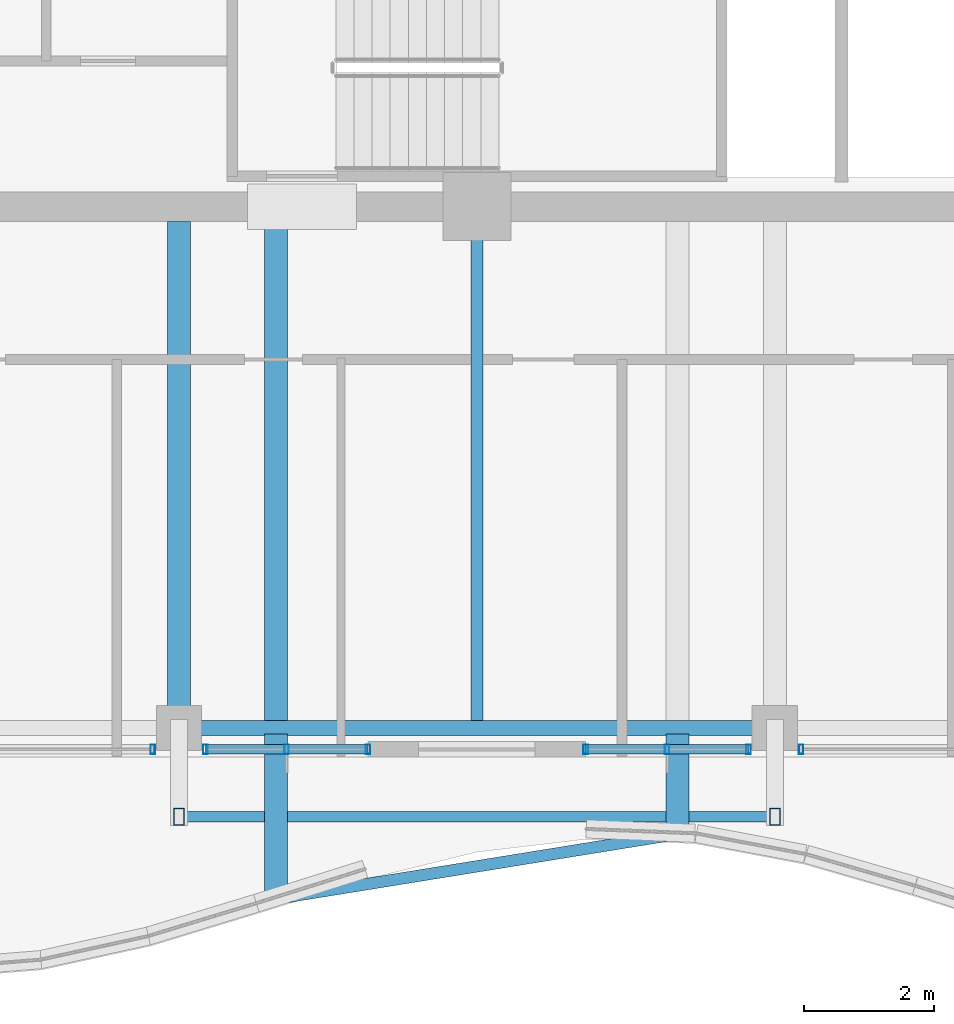
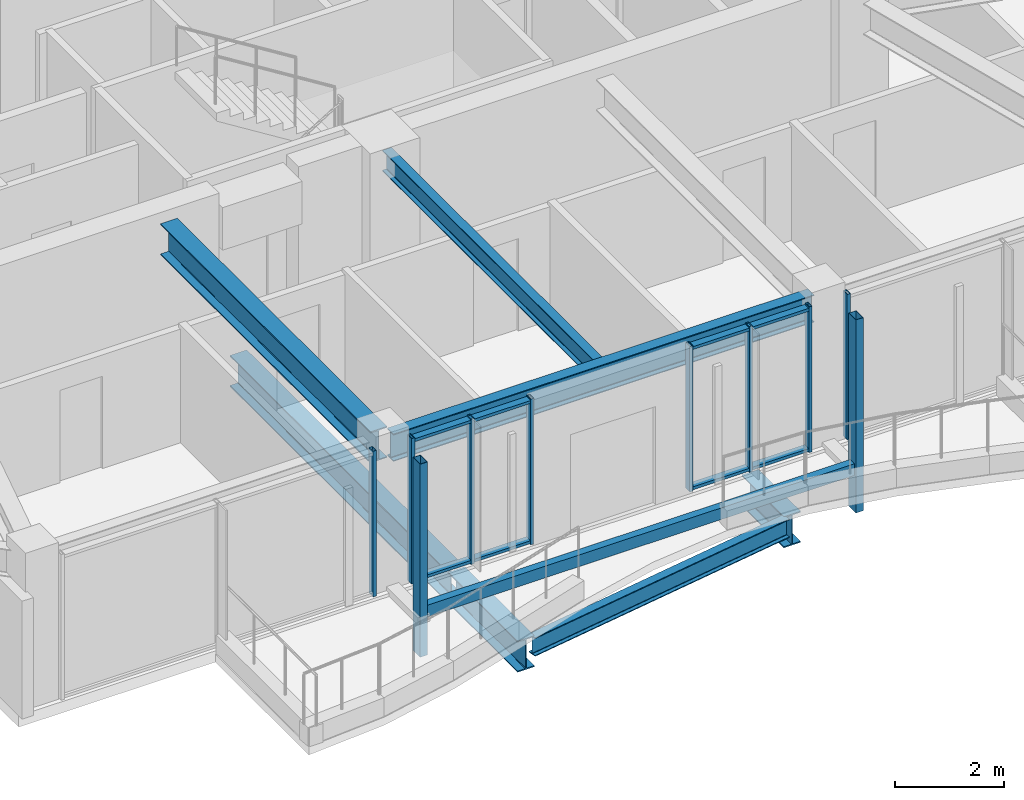
# One storey, part 4 of 34: 15 members, 7 beams, 4 elements without a shape of their own.
"""IFC4 building model written with IfcOpenShell, lengths in metres."""

from ifc_helpers import new_model, si_unit, direction, frame, origin, origin_2d, place, context, subcontext, project, spatial, hollow_rectangle, i_section, extrude, material, material_profile, profile_set, type_object, element, aggregate, save


model = new_model("IFC4")

# Units and contexts
model_context = context("Model", 3, precision=1e-05, world=origin(), true_north=direction((0.0, 1.0)))
body_context = subcontext(model_context, "Body", "Model", "MODEL_VIEW")
ifc_project = project(units=[si_unit("LENGTHUNIT", "METRE"), si_unit("AREAUNIT", "SQUARE_METRE"), si_unit("VOLUMEUNIT", "CUBIC_METRE"), si_unit("PLANEANGLEUNIT", "RADIAN"), si_unit("MASSUNIT", "GRAM", prefix="KILO")], contexts=[model_context])

# Site, building, storey
site_placement = place(None, origin())
site = spatial("IfcSite", under=ifc_project, at=site_placement, CompositionType="ELEMENT")
building_placement = place(site_placement, origin())
building = spatial("IfcBuilding", under=site, at=building_placement, Name="Kolvaren Belvedere", CompositionType="ELEMENT")
storey_placement = place(building_placement, frame((0.0, 0.0, 240.89990234375)))
storey = spatial("IfcBuildingStorey", under=building, at=storey_placement, Name="L70", CompositionType="ELEMENT", Elevation=240.89990234375)

# Beams
ifc_material_1 = material(Name="Structural steel ASTM A992 Grade 50", Category="steel")
ifc_material_profile_1 = material_profile(ifc_material_1, i_section(OverallWidth=0.35498046875, OverallDepth=0.696044921875, WebThickness=0.015380859375, FlangeThickness=0.02490234375, FilletRadius=0.02197265625, at=origin_2d()), Name="W27X146")
ifc_profile_set_1 = profile_set([ifc_material_profile_1], Name="Structural steel ASTM A992 Grade 50")
beam_type_1 = type_object("IfcBeamType", Name="BM-CANT-BAL", PredefinedType="BEAM", material=ifc_profile_set_1)
beam_1_placement = place(storey_placement, frame((-3.10009765625, -18.044921875, -0.597900390625), z_axis=(0.0, -1.0, 0.0), x_axis=(1.0, 0.0, 0.0)))
element("IfcBeam", 1, at=beam_1_placement, inside=storey, type_object=beam_type_1, Name="L70 Planted Balcony Cantilever BAL-S-1", PredefinedType="BEAM", context=body_context, shape_type="SweptSolid", body=[
    extrude(i_section(OverallWidth=0.35498046875, OverallDepth=0.696044921875, WebThickness=0.015380859375, FlangeThickness=0.02490234375, FilletRadius=0.02197265625, at=origin_2d()), origin(), (0.0, 0.0, 1.0), 2.541259765625),
])
beam_2_placement = place(storey_placement, frame((3.10009765625, -18.044921875, -0.597900390625), z_axis=(0.0, -1.0, 0.0), x_axis=(1.0, 0.0, 0.0)))
element("IfcBeam", 2, at=beam_2_placement, inside=storey, type_object=beam_type_1, Name="L70 Planted Balcony Cantilever BAL-S-2", PredefinedType="BEAM", context=body_context, shape_type="SweptSolid", body=[
    extrude(i_section(OverallWidth=0.35498046875, OverallDepth=0.696044921875, WebThickness=0.015380859375, FlangeThickness=0.02490234375, FilletRadius=0.02197265625, at=origin_2d()), origin(), (0.0, 0.0, 1.0), 1.54052734375),
])
ifc_material_2 = material(Name="Structural steel ASTM A992 Grade 50", Category="steel")
ifc_material_profile_2 = material_profile(ifc_material_2, i_section(OverallWidth=0.180908203125, OverallDepth=0.4169921875, WebThickness=0.010986328125, FlangeThickness=0.018310546875, FilletRadius=0.013916015625, at=origin_2d()), Name="W16X57")
ifc_profile_set_2 = profile_set([ifc_material_profile_2], Name="Structural steel ASTM A992 Grade 50")
beam_type_2 = type_object("IfcBeamType", Name="BM-EDGE-W16X57", PredefinedType="BEAM", material=ifc_profile_set_2)
beam_3_placement = place(storey_placement, frame((-2.9619140625, -20.56396484375, -0.45849609375), z_axis=(0.987219034838, 0.159369310891, 0.0), x_axis=(-0.159369310891, 0.987219034838, 0.0)))
element("IfcBeam", 3, at=beam_3_placement, inside=storey, type_object=beam_type_2, Name="L70 Balcony Tip Header Beam BAL-S", PredefinedType="BEAM", context=body_context, shape_type="SweptSolid", body=[
    extrude(i_section(OverallWidth=0.180908203125, OverallDepth=0.4169921875, WebThickness=0.010986328125, FlangeThickness=0.018310546875, FilletRadius=0.013916015625, at=origin_2d()), origin(), (0.0, 0.0, 1.0), 6.00048828125),
])
ifc_material_3 = material(Name="Structural steel ASTM A992 Grade 50", Category="steel")
ifc_material_profile_3 = material_profile(ifc_material_3, i_section(OverallWidth=0.35498046875, OverallDepth=0.696044921875, WebThickness=0.015380859375, FlangeThickness=0.02490234375, FilletRadius=0.02197265625, at=origin_2d()), Name="W27X146")
ifc_profile_set_3 = profile_set([ifc_material_profile_3], Name="Structural steel ASTM A992 Grade 50")
beam_type_3 = type_object("IfcBeamType", Name="BM-GIRD-W27X146", PredefinedType="BEAM", material=ifc_profile_set_3)
beam_4_placement = place(storey_placement, frame((-3.10009765625, -10.06494140625, -0.597900390625), z_axis=(0.0, -1.0, 0.0), x_axis=(1.0, 0.0, 0.0)))
element("IfcBeam", 4, at=beam_4_placement, inside=storey, type_object=beam_type_3, Name="L70 Balcony Interior Back-Span Girder BAL-S-1", PredefinedType="BEAM", context=body_context, shape_type="SweptSolid", body=[
    extrude(i_section(OverallWidth=0.35498046875, OverallDepth=0.696044921875, WebThickness=0.015380859375, FlangeThickness=0.02490234375, FilletRadius=0.02197265625, at=origin_2d()), origin(), (0.0, 0.0, 1.0), 7.7900390625),
])
beam_5_placement = place(storey_placement, frame((-4.60009765625, -10.125, 2.902099609375), z_axis=(0.0, -1.0, 0.0), x_axis=(1.0, 0.0, 0.0)))
element("IfcBeam", 5, at=beam_5_placement, inside=storey, type_object=beam_type_3, Name="L70 South Radial Girder M", PredefinedType="BEAM", context=body_context, shape_type="SweptSolid", body=[
    extrude(i_section(OverallWidth=0.35498046875, OverallDepth=0.696044921875, WebThickness=0.015380859375, FlangeThickness=0.02490234375, FilletRadius=0.02197265625, at=origin_2d()), origin(), (0.0, 0.0, 1.0), 7.66748046875),
])
ifc_material_4 = material(Name="Structural steel ASTM A992 Grade 50", Category="steel")
ifc_material_profile_4 = material_profile(ifc_material_4, i_section(OverallWidth=0.19091796875, OverallDepth=0.4599609375, WebThickness=0.010009765625, FlangeThickness=0.01611328125, FilletRadius=0.014892578125, at=origin_2d()), Name="W18X55")
ifc_profile_set_4 = profile_set([ifc_material_profile_4], Name="Structural steel ASTM A992 Grade 50")
beam_type_4 = type_object("IfcBeamType", Name="BM-JOIST-W18X55", PredefinedType="BEAM", material=ifc_profile_set_4)
beam_6_placement = place(storey_placement, frame((0.0, -10.125, 3.02001953125), z_axis=(0.0, -1.0, 0.0), x_axis=(1.0, 0.0, 0.0)))
element("IfcBeam", 6, at=beam_6_placement, inside=storey, type_object=beam_type_4, Name="L70 South Centre Floor Beam", PredefinedType="BEAM", context=body_context, shape_type="SweptSolid", body=[
    extrude(i_section(OverallWidth=0.19091796875, OverallDepth=0.4599609375, WebThickness=0.010009765625, FlangeThickness=0.01611328125, FilletRadius=0.014892578125, at=origin_2d()), origin(), (0.0, 0.0, 1.0), 7.71044921875),
])
ifc_material_5 = material(Name="Structural steel ASTM A992 Grade 50", Category="steel")
ifc_material_profile_5 = material_profile(ifc_material_5, i_section(OverallWidth=0.22900390625, OverallDepth=0.612060546875, WebThickness=0.011962890625, FlangeThickness=0.01953125, FilletRadius=0.01806640625, at=origin_2d()), Name="W24X84")
ifc_profile_set_5 = profile_set([ifc_material_profile_5], Name="Structural steel ASTM A992 Grade 50")
beam_type_5 = type_object("IfcBeamType", Name="BM-SPAN-W24X84", PredefinedType="SPANDREL", material=ifc_profile_set_5)
beam_7_placement = place(storey_placement, frame((-4.4423828125, -17.949951171875, 2.944091796875), z_axis=(1.0, 0.0, 0.0), x_axis=(0.0, 1.0, 0.0)))
element("IfcBeam", 7, at=beam_7_placement, inside=storey, type_object=beam_type_5, Name="L70 Perimeter Spandrel S2-S3", PredefinedType="SPANDREL", context=body_context, shape_type="SweptSolid", body=[
    extrude(i_section(OverallWidth=0.22900390625, OverallDepth=0.612060546875, WebThickness=0.011962890625, FlangeThickness=0.01953125, FilletRadius=0.01806640625, at=origin_2d()), origin(), (0.0, 0.0, 1.0), 8.884765625),
])

# Curtain wall, member
ifc_material_6 = material(Name="Anodised pale-metal aluminium AA 6063-T6", Category="aluminium")
curtain_wall_type = type_object("IfcCurtainWallType", Name="CW-Z5-HIGH", PredefinedType="NOTDEFINED", material=ifc_material_6)
curtain_wall_1_placement = place(storey_placement, origin())
curtain_wall_1 = element("IfcCurtainWall", 8, at=curtain_wall_1_placement, inside=storey, type_object=curtain_wall_type, Name="L70 Unitised Curtain Wall FCW-L70-S1-B1", PredefinedType="NOTDEFINED")
ifc_material_7 = material(Name="Anodised pale-metal aluminium AA 6063-T6", Category="aluminium")
ifc_material_profile_6 = material_profile(ifc_material_7, hollow_rectangle(XDim=0.070068359375, YDim=0.14990234375, WallThickness=0.004150390625, at=origin_2d()), Name="ALU-MUL-150X70")
ifc_profile_set_6 = profile_set([ifc_material_profile_6], Name="Anodised pale-metal aluminium AA 6063-T6")
member_type_1 = type_object("IfcMemberType", Name="CW-MUL-150", PredefinedType="MULLION", material=ifc_profile_set_6)
member_1_placement = place(storey_placement, frame((5.0048828125, -18.280029296875, 0.0), z_axis=(0.0, 0.0, 1.0), x_axis=(1.0, 0.0, 0.0)))
member_1 = element("IfcMember", 9, at=member_1_placement, type_object=member_type_1, Name="FCW-L70-S1-B1 Unitised Mullion 3", PredefinedType="MULLION", context=body_context, shape_type="SweptSolid", body=[
    extrude(hollow_rectangle(XDim=0.070068359375, YDim=0.14990234375, WallThickness=0.004150390625, at=origin_2d()), origin(), (0.0, 0.0, 1.0), 3.25),
])
aggregate(curtain_wall_1, [member_1])

# Curtain wall, members
curtain_wall_2_placement = place(storey_placement, origin())
curtain_wall_2 = element("IfcCurtainWall", 10, at=curtain_wall_2_placement, inside=storey, type_object=curtain_wall_type, Name="L70 Unitised Curtain Wall FCW-L70-S1-B2", PredefinedType="NOTDEFINED")
member_2_placement = place(storey_placement, frame((4.195068359375, -18.280029296875, 0.0), z_axis=(0.0, 0.0, 1.0), x_axis=(1.0, 0.0, 0.0)))
member_2 = element("IfcMember", 11, at=member_2_placement, type_object=member_type_1, Name="FCW-L70-S1-B2 Unitised Mullion 1", PredefinedType="MULLION", context=body_context, shape_type="SweptSolid", body=[
    extrude(hollow_rectangle(XDim=0.070068359375, YDim=0.14990234375, WallThickness=0.004150390625, at=origin_2d()), origin(), (0.0, 0.0, 1.0), 3.25),
])
member_3_placement = place(storey_placement, frame((2.9375, -18.280029296875, 0.0), z_axis=(0.0, 0.0, 1.0), x_axis=(1.0, 0.0, 0.0)))
member_3 = element("IfcMember", 12, at=member_3_placement, type_object=member_type_1, Name="FCW-L70-S1-B2 Unitised Mullion 2", PredefinedType="MULLION", context=body_context, shape_type="SweptSolid", body=[
    extrude(hollow_rectangle(XDim=0.070068359375, YDim=0.14990234375, WallThickness=0.004150390625, at=origin_2d()), origin(), (0.0, 0.0, 1.0), 3.25),
])
member_4_placement = place(storey_placement, frame((1.679931640625, -18.280029296875, 0.0), z_axis=(0.0, 0.0, 1.0), x_axis=(1.0, 0.0, 0.0)))
member_4 = element("IfcMember", 13, at=member_4_placement, type_object=member_type_1, Name="FCW-L70-S1-B2 Unitised Mullion 3", PredefinedType="MULLION", context=body_context, shape_type="SweptSolid", body=[
    extrude(hollow_rectangle(XDim=0.070068359375, YDim=0.14990234375, WallThickness=0.004150390625, at=origin_2d()), origin(), (0.0, 0.0, 1.0), 3.25),
])

curtain_wall_3_placement = place(storey_placement, origin())
curtain_wall_3 = element("IfcCurtainWall", 14, at=curtain_wall_3_placement, inside=storey, type_object=curtain_wall_type, Name="L70 Unitised Curtain Wall FCW-L70-S2-B1", PredefinedType="NOTDEFINED")
member_5_placement = place(storey_placement, frame((-1.679931640625, -18.280029296875, 0.0), z_axis=(0.0, 0.0, 1.0), x_axis=(1.0, 0.0, 0.0)))
member_5 = element("IfcMember", 15, at=member_5_placement, type_object=member_type_1, Name="FCW-L70-S2-B1 Unitised Mullion 1", PredefinedType="MULLION", context=body_context, shape_type="SweptSolid", body=[
    extrude(hollow_rectangle(XDim=0.070068359375, YDim=0.14990234375, WallThickness=0.004150390625, at=origin_2d()), origin(), (0.0, 0.0, 1.0), 3.25),
])
member_6_placement = place(storey_placement, frame((-2.9375, -18.280029296875, 0.0), z_axis=(0.0, 0.0, 1.0), x_axis=(1.0, 0.0, 0.0)))
member_6 = element("IfcMember", 16, at=member_6_placement, type_object=member_type_1, Name="FCW-L70-S2-B1 Unitised Mullion 2", PredefinedType="MULLION", context=body_context, shape_type="SweptSolid", body=[
    extrude(hollow_rectangle(XDim=0.070068359375, YDim=0.14990234375, WallThickness=0.004150390625, at=origin_2d()), origin(), (0.0, 0.0, 1.0), 3.25),
])
member_7_placement = place(storey_placement, frame((-4.195068359375, -18.280029296875, 0.0), z_axis=(0.0, 0.0, 1.0), x_axis=(1.0, 0.0, 0.0)))
member_7 = element("IfcMember", 17, at=member_7_placement, type_object=member_type_1, Name="FCW-L70-S2-B1 Unitised Mullion 3", PredefinedType="MULLION", context=body_context, shape_type="SweptSolid", body=[
    extrude(hollow_rectangle(XDim=0.070068359375, YDim=0.14990234375, WallThickness=0.004150390625, at=origin_2d()), origin(), (0.0, 0.0, 1.0), 3.25),
])

# Curtain wall, member
curtain_wall_4_placement = place(storey_placement, origin())
curtain_wall_4 = element("IfcCurtainWall", 18, at=curtain_wall_4_placement, inside=storey, type_object=curtain_wall_type, Name="L70 Unitised Curtain Wall FCW-L70-S2-B2", PredefinedType="NOTDEFINED")
member_8_placement = place(storey_placement, frame((-5.0048828125, -18.280029296875, 0.0), z_axis=(0.0, 0.0, 1.0), x_axis=(1.0, 0.0, 0.0)))
member_8 = element("IfcMember", 19, at=member_8_placement, type_object=member_type_1, Name="FCW-L70-S2-B2 Unitised Mullion 1", PredefinedType="MULLION", context=body_context, shape_type="SweptSolid", body=[
    extrude(hollow_rectangle(XDim=0.070068359375, YDim=0.14990234375, WallThickness=0.004150390625, at=origin_2d()), origin(), (0.0, 0.0, 1.0), 3.25),
])
aggregate(curtain_wall_4, [member_8])

# Member
ifc_material_8 = material(Name="Anodised pale-metal aluminium AA 6063-T6", Category="aluminium")
ifc_material_profile_7 = material_profile(ifc_material_8, hollow_rectangle(XDim=0.06494140625, YDim=0.14990234375, WallThickness=0.00390625, at=origin_2d()), Name="ALU-TRN-150X65")
ifc_profile_set_7 = profile_set([ifc_material_profile_7], Name="Anodised pale-metal aluminium AA 6063-T6")
member_type_2 = type_object("IfcMemberType", Name="CW-TRN-150", PredefinedType="USERDEFINED", material=ifc_profile_set_7)
member_9_placement = place(storey_placement, frame((4.195068359375, -18.280029296875, 0.06005859375), z_axis=(-1.0, 0.0, 0.0), x_axis=(0.0, 0.0, 1.0)))
member_9 = element("IfcMember", 20, at=member_9_placement, type_object=member_type_2, Name="FCW-L70-S1-B2 Sill Transom", ObjectType="TRANSOM", PredefinedType="USERDEFINED", context=body_context, shape_type="SweptSolid", body=[
    extrude(hollow_rectangle(XDim=0.06494140625, YDim=0.14990234375, WallThickness=0.00390625, at=origin_2d()), origin(), (0.0, 0.0, 1.0), 2.51513671875),
])

member_10_placement = place(storey_placement, frame((4.195068359375, -18.280029296875, 3.190185546875), z_axis=(-1.0, 0.0, 0.0), x_axis=(0.0, 0.0, 1.0)))
member_10 = element("IfcMember", 21, at=member_10_placement, type_object=member_type_2, Name="FCW-L70-S1-B2 Head Transom", ObjectType="TRANSOM", PredefinedType="USERDEFINED", context=body_context, shape_type="SweptSolid", body=[
    extrude(hollow_rectangle(XDim=0.06494140625, YDim=0.14990234375, WallThickness=0.00390625, at=origin_2d()), origin(), (0.0, 0.0, 1.0), 2.51513671875),
])

aggregate(curtain_wall_2, [member_2, member_3, member_4, member_9, member_10])

member_11_placement = place(storey_placement, frame((-1.679931640625, -18.280029296875, 0.06005859375), z_axis=(-1.0, 0.0, 0.0), x_axis=(0.0, 0.0, 1.0)))
member_11 = element("IfcMember", 22, at=member_11_placement, type_object=member_type_2, Name="FCW-L70-S2-B1 Sill Transom", ObjectType="TRANSOM", PredefinedType="USERDEFINED", context=body_context, shape_type="SweptSolid", body=[
    extrude(hollow_rectangle(XDim=0.06494140625, YDim=0.14990234375, WallThickness=0.00390625, at=origin_2d()), origin(), (0.0, 0.0, 1.0), 2.51513671875),
])

member_12_placement = place(storey_placement, frame((-1.679931640625, -18.280029296875, 3.190185546875), z_axis=(-1.0, 0.0, 0.0), x_axis=(0.0, 0.0, 1.0)))
member_12 = element("IfcMember", 23, at=member_12_placement, type_object=member_type_2, Name="FCW-L70-S2-B1 Head Transom", ObjectType="TRANSOM", PredefinedType="USERDEFINED", context=body_context, shape_type="SweptSolid", body=[
    extrude(hollow_rectangle(XDim=0.06494140625, YDim=0.14990234375, WallThickness=0.00390625, at=origin_2d()), origin(), (0.0, 0.0, 1.0), 2.51513671875),
])

aggregate(curtain_wall_3, [member_5, member_6, member_7, member_11, member_12])

# Members
ifc_material_9 = material(Name="Anodised pale-metal aluminium AA 6063-T6", Category="aluminium")
ifc_material_profile_8 = material_profile(ifc_material_9, hollow_rectangle(XDim=0.159912109375, YDim=0.260009765625, WallThickness=0.006591796875, at=origin_2d()), Name="ALU-PF-260X160")
ifc_profile_set_8 = profile_set([ifc_material_profile_8], Name="Anodised pale-metal aluminium AA 6063-T6")
member_type_3 = type_object("IfcMemberType", Name="PF-FRAME-260", PredefinedType="USERDEFINED", material=ifc_profile_set_8)
for number, where, z_axis, x_axis, name in (
    (24, (4.60009765625, -19.320068359375, -0.809814453125), (0.0, 0.0, 1.0), (1.0, 0.0, 0.0), "L70 Outboard Picture-Frame Vertical S1"),
    (25, (-4.60009765625, -19.320068359375, -0.809814453125), (0.0, 0.0, 1.0), (1.0, 0.0, 0.0), "L70 Outboard Picture-Frame Vertical S2"),
):
    element("IfcMember", number, at=place(storey_placement, frame(where, z_axis=z_axis, x_axis=x_axis)), inside=storey, type_object=member_type_3, Name=name, ObjectType="PICTURE FRAME FIN", PredefinedType="USERDEFINED", context=body_context, shape_type="SweptSolid", body=[
        extrude(hollow_rectangle(XDim=0.159912109375, YDim=0.260009765625, WallThickness=0.006591796875, at=origin_2d()), origin(), (0.0, 0.0, 1.0), 4.309814453125),
    ])
member_13_placement = place(storey_placement, frame((4.60009765625, -19.320068359375, 0.130126953125), z_axis=(-1.0, 0.0, 0.0), x_axis=(0.0, -1.0, 0.0)))
element("IfcMember", 26, at=member_13_placement, inside=storey, type_object=member_type_3, Name="L70 Outboard Picture-Frame Sill S", ObjectType="PICTURE FRAME FIN", PredefinedType="USERDEFINED", context=body_context, shape_type="SweptSolid", body=[
    extrude(hollow_rectangle(XDim=0.159912109375, YDim=0.260009765625, WallThickness=0.006591796875, at=origin_2d()), origin(), (0.0, 0.0, 1.0), 9.2001953125),
])

save(model, "model.ifc")
